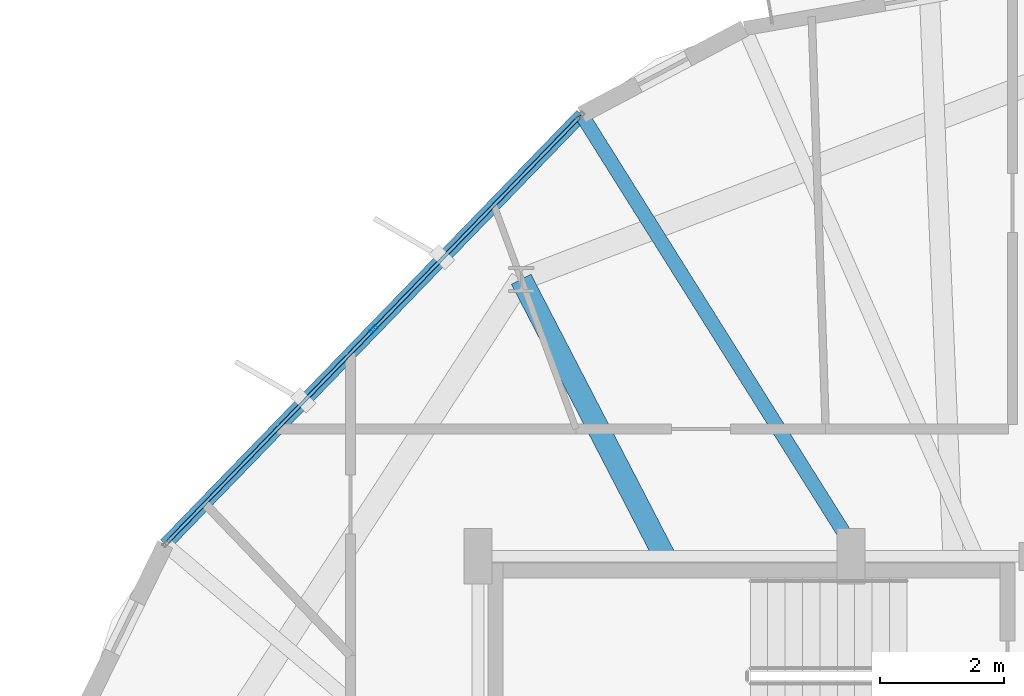
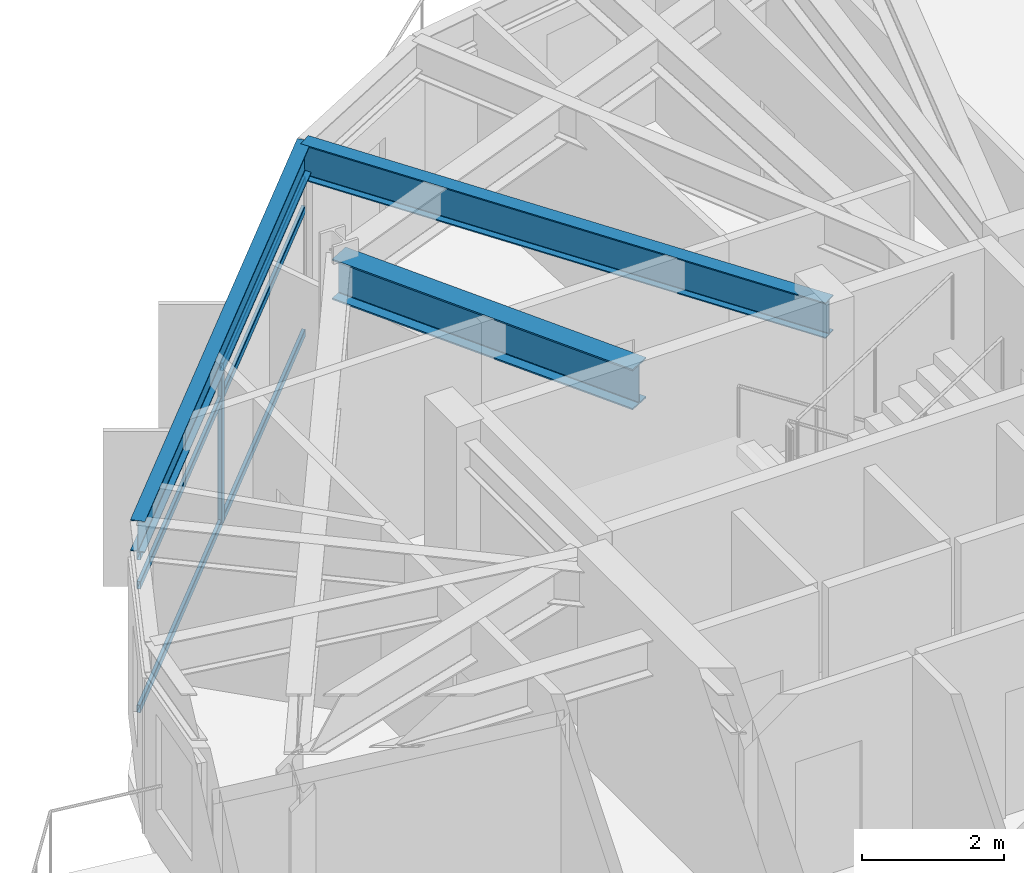
# One storey, part 16 of 28: 7 members, 3 beams, 1 element without a shape of its own.
"""IFC4 building model written with IfcOpenShell, lengths in metres."""

import ifcopenshell
import ifcopenshell.guid

model = None  # the IFC model being written
_history = None  # IfcOwnerHistory: only IFC2X3 demands one
_inside = {}  # id of a spatial element -> (the spatial element, [elements in it])
_under = {}  # id of a project, library or spatial element -> (it, [spatial elements below it])
_declared = {}  # id of a project -> (the project, [libraries it declares])
_typed = {}  # id of a type object -> (the type object, [elements of that type])
_made_of = {}  # id of a material, layer set ... -> (it, [elements and type objects made of it])


def new_model(schema):
    """Start an empty IFC model of exactly this schema.

    Asked for "IFC4X3", IfcOpenShell would pick the latest addendum, in which some entities
    have other attributes; the version numbers below select the first issue.
    IFC2X3 requires an IfcOwnerHistory on every rooted entity: one is made here for all.
    """
    global model, _history
    if schema == "IFC4X3":
        model = ifcopenshell.file(schema_version=(4, 3, 0, 0))
    else:
        model = ifcopenshell.file(schema=schema)
    _inside.clear()
    _under.clear()
    _declared.clear()
    _typed.clear()
    _made_of.clear()
    _history = None
    if model.schema == "IFC2X3":
        org = make("IfcOrganization", Name="unknown")
        user = make(
            "IfcPersonAndOrganization",
            ThePerson=make("IfcPerson", FamilyName="unknown"),
            TheOrganization=org,
        )
        app = make(
            "IfcApplication",
            ApplicationDeveloper=org,
            Version="unknown",
            ApplicationFullName="unknown",
            ApplicationIdentifier="unknown",
        )
        _history = make(
            "IfcOwnerHistory",
            OwningUser=user,
            OwningApplication=app,
            ChangeAction="ADDED",
            CreationDate=0,
        )
    return model


def make(cls, **values):
    """One entity of the class cls with the attributes given. An attribute that is None is left unset."""
    return model.create_entity(
        cls, **{name: value for name, value in values.items() if value is not None}
    )


def rooted(cls, **values):
    """An entity with a GlobalId (a new one), such as an element, a storey or a relation."""
    return make(cls, GlobalId=ifcopenshell.guid.new(), OwnerHistory=_history, **values)


def si_unit(unit_type, name, prefix=None):
    """IfcSIUnit, for example si_unit("LENGTHUNIT", "METRE", prefix="MILLI")."""
    return make("IfcSIUnit", UnitType=unit_type, Prefix=prefix, Name=name)


def assignment(units):
    """IfcUnitAssignment: the units of a project."""
    return None if units is None else make("IfcUnitAssignment", Units=units)


def point(xyz):
    """IfcCartesianPoint."""
    return None if xyz is None else make("IfcCartesianPoint", Coordinates=xyz)


def direction(xyz):
    """IfcDirection."""
    return None if xyz is None else make("IfcDirection", DirectionRatios=xyz)


def frame(location, z_axis=None, x_axis=None):
    """IfcAxis2Placement3D, a coordinate frame: its origin and axes. An axis left out is left unset."""
    return make(
        "IfcAxis2Placement3D",
        Location=point(location),
        Axis=direction(z_axis),
        RefDirection=direction(x_axis),
    )


def frame_2d(location, x_axis=None):
    """IfcAxis2Placement2D, a coordinate frame in the plane: its origin and x axis."""
    return make(
        "IfcAxis2Placement2D", Location=point(location), RefDirection=direction(x_axis)
    )


def origin():
    """The frame at (0, 0, 0) with its axes left unset."""
    return frame((0.0, 0.0, 0.0))


def origin_2d():
    """The frame at (0, 0) in the plane with its x axis left unset."""
    return frame_2d((0.0, 0.0))


def place(relative_to, where):
    """IfcLocalPlacement: puts the frame where relative to a parent placement (None: the world)."""
    return make(
        "IfcLocalPlacement", PlacementRelTo=relative_to, RelativePlacement=where
    )


def context(
    kind, dimensions, precision=None, world=None, true_north=None, identifier=None
):
    """IfcGeometricRepresentationContext, for example the 3D "Model" context."""
    return make(
        "IfcGeometricRepresentationContext",
        ContextIdentifier=identifier,
        ContextType=kind,
        CoordinateSpaceDimension=dimensions,
        Precision=precision,
        WorldCoordinateSystem=world,
        TrueNorth=true_north,
    )


def subcontext(parent, identifier, kind, view, scale=None):
    """IfcGeometricRepresentationSubContext, for example "Body" below "Model"."""
    return make(
        "IfcGeometricRepresentationSubContext",
        ContextIdentifier=identifier,
        ContextType=kind,
        ParentContext=parent,
        TargetScale=scale,
        TargetView=view,
    )


def project(units=None, contexts=None):
    """IfcProject with its units and contexts."""
    return rooted(
        "IfcProject",
        Name="project",
        RepresentationContexts=contexts,
        UnitsInContext=assignment(units),
    )


def spatial(cls, under=None, at=None, **own):
    """A site, building, storey or space (cls), placed at a placement, below another one or the project."""
    s = rooted(cls, ObjectPlacement=at, **own)
    if under is not None:
        _under.setdefault(under.id(), (under, []))[1].append(s)
    return s


def profile(cls, at=None, kind="AREA", **sizes):
    """A parametric profile (cls). Its sizes go by their IFC names, for example OverallWidth=200.0."""
    return make(cls, ProfileType=kind, Position=at, **sizes)


def hollow_rectangle(**sizes):
    """IfcRectangleHollowProfileDef."""
    return profile("IfcRectangleHollowProfileDef", **sizes)


def i_section(**sizes):
    """IfcIShapeProfileDef."""
    return profile("IfcIShapeProfileDef", **sizes)


def extrude(swept, where, along, depth):
    """IfcExtrudedAreaSolid: the profile swept, set in the frame where, extruded along a direction by depth."""
    return make(
        "IfcExtrudedAreaSolid",
        SweptArea=swept,
        Position=where,
        ExtrudedDirection=direction(along),
        Depth=depth,
    )


def shape(context_of_items, identifier, shape_type, items):
    """IfcShapeRepresentation: the items that make up one representation, for example the "Body"."""
    return make(
        "IfcShapeRepresentation",
        ContextOfItems=context_of_items,
        RepresentationIdentifier=identifier,
        RepresentationType=shape_type,
        Items=items,
    )


def material(Name=None, Category=None):
    """IfcMaterial."""
    return make("IfcMaterial", Name=Name, Category=Category)


def layer(
    of_material, thickness, ventilated=None, Name=None, Category=None, Priority=None
):
    """IfcMaterialLayer: one layer of a wall or slab, of a material (None: an air gap)."""
    return make(
        "IfcMaterialLayer",
        Material=of_material,
        LayerThickness=thickness,
        IsVentilated=ventilated,
        Name=Name,
        Category=Category,
        Priority=Priority,
    )


def layer_set(layers, Name=None):
    """IfcMaterialLayerSet."""
    return make("IfcMaterialLayerSet", MaterialLayers=layers, LayerSetName=Name)


def material_profile(
    of_material, cross_section, Name=None, Category=None, Priority=None
):
    """IfcMaterialProfile: a cross section and its material."""
    return make(
        "IfcMaterialProfile",
        Name=Name,
        Material=of_material,
        Profile=cross_section,
        Priority=Priority,
        Category=Category,
    )


def profile_set(profiles, Name=None, composite=None):
    """IfcMaterialProfileSet."""
    return make(
        "IfcMaterialProfileSet",
        Name=Name,
        MaterialProfiles=profiles,
        CompositeProfile=composite,
    )


def made_of(thing, what):
    """Note that an element or type object is made of a material, layer set ...; save() writes the relation."""
    if what is not None:
        _made_of.setdefault(what.id(), (what, []))[1].append(thing)
    return thing


def type_object(cls, material=None, **own):
    """A type object (cls), such as IfcWallType, which elements share."""
    return made_of(rooted(cls, **own), material)


def element(
    cls,
    number,
    at=None,
    inside=None,
    cuts=None,
    type_object=None,
    material=None,
    context=None,
    identifier="Body",
    shape_type=None,
    held_by="IfcProductDefinitionShape",
    body=None,
    shapes=None,
    **own,
):
    """One element of the class cls, such as IfcWall. Its Tag is "e" and its number.

    at: its placement. inside: the storey or other place that contains it. cuts: it is an
    opening in that element (IfcRelVoidsElement). A single representation is given by context,
    identifier, shape_type and body (its items); several are given by shapes. held_by: the class
    of the entity that holds the representations. save() writes the other relations.
    """
    e = rooted(cls, Tag="e%d" % number, ObjectPlacement=at, **own)
    if body is not None:
        shapes = [shape(context, identifier, shape_type, body)]
    if shapes is not None:
        e.Representation = make(held_by, Representations=shapes)
    if inside is not None:
        _inside.setdefault(inside.id(), (inside, []))[1].append(e)
    if cuts is not None:
        rooted(
            "IfcRelVoidsElement", RelatingBuildingElement=cuts, RelatedOpeningElement=e
        )
    if type_object is not None:
        _typed.setdefault(type_object.id(), (type_object, []))[1].append(e)
    return made_of(e, material)


def aggregate(whole, parts):
    """IfcRelAggregates: a whole, such as a stair, and the parts it consists of."""
    return rooted("IfcRelAggregates", RelatingObject=whole, RelatedObjects=parts)


def save(model, path):
    """Write the relations noted so far, then the file.

    IfcRelAggregates (storeys below a building ...), IfcRelContainedInSpatialStructure (elements
    in a storey), IfcRelDefinesByType, IfcRelAssociatesMaterial and IfcRelDeclares: one each for
    every whole, place, type object, material and project.
    """
    for whole, parts in _under.values():
        aggregate(whole, parts)
    for where, things in _inside.values():
        rooted(
            "IfcRelContainedInSpatialStructure",
            RelatedElements=things,
            RelatingStructure=where,
        )
    for kind, things in _typed.values():
        rooted("IfcRelDefinesByType", RelatedObjects=things, RelatingType=kind)
    for what, things in _made_of.values():
        rooted("IfcRelAssociatesMaterial", RelatedObjects=things, RelatingMaterial=what)
    for by, libraries in _declared.values():
        rooted("IfcRelDeclares", RelatingContext=by, RelatedDefinitions=libraries)
    model.write(path)


model = new_model("IFC4")

# Units and contexts
model_context = context("Model", 3, precision=1e-05, world=origin(), true_north=direction((0.0, 1.0)))
body_context = subcontext(model_context, "Body", "Model", "MODEL_VIEW")
ifc_project = project(units=[si_unit("LENGTHUNIT", "METRE"), si_unit("AREAUNIT", "SQUARE_METRE"), si_unit("VOLUMEUNIT", "CUBIC_METRE"), si_unit("PLANEANGLEUNIT", "RADIAN"), si_unit("MASSUNIT", "GRAM", prefix="KILO")], contexts=[model_context])

# Site, building, storey
site_placement = place(None, origin())
site = spatial("IfcSite", under=ifc_project, at=site_placement, CompositionType="ELEMENT")
building_placement = place(site_placement, origin())
building = spatial("IfcBuilding", under=site, at=building_placement, Name="Soratama Intermodal Tower", CompositionType="ELEMENT")
storey_placement = place(building_placement, frame((0.0, 0.0, 201.39990234375)))
storey = spatial("IfcBuildingStorey", under=building, at=storey_placement, Name="L50", CompositionType="ELEMENT", Elevation=201.39990234375)

# Beams
ifc_material_1 = material(Name="Structural steel ASTM A992 Grade 50", Category="steel")
ifc_material_profile_1 = material_profile(ifc_material_1, i_section(OverallWidth=0.35498046875, OverallDepth=0.695068359375, WebThickness=0.015380859375, FlangeThickness=0.02490234375, FilletRadius=0.01611328125, at=origin_2d()), Name="W27X146")
ifc_profile_set_1 = profile_set([ifc_material_profile_1], Name="Structural steel ASTM A992 Grade 50")
beam_type_1 = type_object("IfcBeamType", Name="BM-RING-W27X146", PredefinedType="BEAM", material=ifc_profile_set_1)
beam_1_placement = place(storey_placement, frame((35.60009765625, 35.0, 2.95263671875), z_axis=(-0.459552673174, 0.888150516849, 0.0), x_axis=(-0.888150516849, -0.459552673174, 0.0)))
element("IfcBeam", 1, at=beam_1_placement, inside=storey, type_object=beam_type_1, Name="BM-L50-RAD-04", PredefinedType="BEAM", context=body_context, shape_type="SweptSolid", body=[
    extrude(i_section(OverallWidth=0.35498046875, OverallDepth=0.695068359375, WebThickness=0.015380859375, FlangeThickness=0.02490234375, FilletRadius=0.01611328125, at=origin_2d()), origin(), (0.0, 0.0, 1.0), 5.01611328125),
])
ifc_material_2 = material(Name="Structural steel ASTM A992 Grade 50", Category="steel")
ifc_material_profile_2 = material_profile(ifc_material_2, i_section(OverallWidth=0.2099609375, OverallDepth=0.537109375, WebThickness=0.010986328125, FlangeThickness=0.017333984375, FilletRadius=0.012939453125, at=origin_2d()), Name="W21X68")
ifc_profile_set_2 = profile_set([ifc_material_profile_2], Name="Structural steel ASTM A992 Grade 50")
beam_type_2 = type_object("IfcBeamType", Name="BM-SPN-W21X68", PredefinedType="SPANDREL", material=ifc_profile_set_2)
beam_2_placement = place(storey_placement, frame((34.26611328125, 42.10205078125, 3.031494140625), z_axis=(-0.695894997812, -0.718143545553, 0.0), x_axis=(0.718143545553, -0.695894997812, 0.0)))
element("IfcBeam", 2, at=beam_2_placement, inside=storey, type_object=beam_type_2, Name="BS-L50-F03", PredefinedType="SPANDREL", context=body_context, shape_type="SweptSolid", body=[
    extrude(i_section(OverallWidth=0.2099609375, OverallDepth=0.537109375, WebThickness=0.010986328125, FlangeThickness=0.017333984375, FilletRadius=0.012939453125, at=origin_2d()), origin(), (0.0, 0.0, 1.0), 9.62353515625),
])
ifc_material_3 = material(Name="Structural steel ASTM A992 Grade 50", Category="steel")
ifc_material_profile_3 = material_profile(ifc_material_3, i_section(OverallWidth=0.22900390625, OverallDepth=0.612060546875, WebThickness=0.011962890625, FlangeThickness=0.01953125, FilletRadius=0.012939453125, at=origin_2d()), Name="W24X84")
ifc_profile_set_3 = profile_set([ifc_material_profile_3], Name="Structural steel ASTM A992 Grade 50")
beam_type_3 = type_object("IfcBeamType", Name="BM-TIE-W24X84", PredefinedType="BEAM", material=ifc_profile_set_3)
beam_3_placement = place(storey_placement, frame((38.702880859375, 35.033935546875, 2.994140625), z_axis=(-0.531651992484, 0.8469629029, 0.0), x_axis=(-0.8469629029, -0.531651992484, 0.0)))
element("IfcBeam", 3, at=beam_3_placement, inside=storey, type_object=beam_type_3, Name="BM-L50-TIE0-03", PredefinedType="BEAM", context=body_context, shape_type="SweptSolid", body=[
    extrude(i_section(OverallWidth=0.22900390625, OverallDepth=0.612060546875, WebThickness=0.011962890625, FlangeThickness=0.01953125, FilletRadius=0.012939453125, at=origin_2d()), origin(), (0.0, 0.0, 1.0), 8.34521484375),
])

# Curtain wall, members
ifc_material_4 = material(Name="Double-glazed aluminium curtain wall", Category="aluminium")
ifc_layer = layer(ifc_material_4, 0.159912109375)
ifc_layer_set = layer_set([ifc_layer], Name="Double-glazed aluminium curtain wall")
curtain_wall_type = type_object("IfcCurtainWallType", Name="CW-SYS-5", PredefinedType="NOTDEFINED", material=ifc_layer_set)
curtain_wall_placement = place(storey_placement, origin())
curtain_wall = element("IfcCurtainWall", 4, at=curtain_wall_placement, inside=storey, type_object=curtain_wall_type, Name="L50 Faceted Curtain Wall F03", PredefinedType="NOTDEFINED")
ifc_material_5 = material(Name="Anodised aluminium AA 6063-T6", Category="aluminium")
ifc_material_profile_4 = material_profile(ifc_material_5, hollow_rectangle(XDim=0.06494140625, YDim=0.139892578125, WallThickness=0.0048828125, InnerFilletRadius=0.0048828125, OuterFilletRadius=0.010009765625, at=origin_2d()), Name="CWM140X65X5")
ifc_profile_set_4 = profile_set([ifc_material_profile_4], Name="Anodised aluminium AA 6063-T6")
member_type_1 = type_object("IfcMemberType", Name="MT-CWM-5", PredefinedType="MULLION", material=ifc_profile_set_4)
member_1_placement = place(storey_placement, frame((30.91748046875, 38.646728515625, 0.0), z_axis=(0.0, 0.0, 1.0), x_axis=(0.718126949297, -0.695912124261, 0.0)))
member_1 = element("IfcMember", 5, at=member_1_placement, type_object=member_type_1, Name="CW-5 mullion 2", PredefinedType="MULLION", context=body_context, shape_type="SweptSolid", body=[
    extrude(hollow_rectangle(XDim=0.06494140625, YDim=0.139892578125, WallThickness=0.0048828125, InnerFilletRadius=0.0048828125, OuterFilletRadius=0.010009765625, at=origin_2d()), origin(), (0.0, 0.0, 1.0), 2.67919921875),
])
ifc_material_6 = material(Name="Anodised aluminium AA 6063-T6", Category="aluminium")
ifc_material_profile_5 = material_profile(ifc_material_6, hollow_rectangle(XDim=0.06005859375, YDim=0.1298828125, WallThickness=0.0048828125, InnerFilletRadius=0.0048828125, OuterFilletRadius=0.010009765625, at=origin_2d()), Name="CWT130X60X5")
ifc_profile_set_5 = profile_set([ifc_material_profile_5], Name="Anodised aluminium AA 6063-T6")
member_type_2 = type_object("IfcMemberType", Name="TT-CWT-2", PredefinedType="USERDEFINED", material=ifc_profile_set_5)
member_2_placement = place(storey_placement, frame((34.224609375, 42.059326171875, 0.030029296875), z_axis=(-0.695929398414, -0.718110209107, 0.0), x_axis=(0.718110209107, -0.695929398414, 0.0)))
member_2 = element("IfcMember", 6, at=member_2_placement, type_object=member_type_2, Name="CW-5 transom 1.1", ObjectType="TRANSOM", PredefinedType="USERDEFINED", context=body_context, shape_type="SweptSolid", body=[
    extrude(hollow_rectangle(XDim=0.06005859375, YDim=0.1298828125, WallThickness=0.0048828125, InnerFilletRadius=0.0048828125, OuterFilletRadius=0.010009765625, at=origin_2d()), origin(), (0.0, 0.0, 1.0), 4.721923828125),
])
member_3_placement = place(storey_placement, frame((34.224609375, 42.059326171875, 2.150146484375), z_axis=(-0.695929398414, -0.718110209107, 0.0), x_axis=(0.718110209107, -0.695929398414, 0.0)))
member_3 = element("IfcMember", 7, at=member_3_placement, type_object=member_type_2, Name="CW-5 transom 1.2", ObjectType="TRANSOM", PredefinedType="USERDEFINED", context=body_context, shape_type="SweptSolid", body=[
    extrude(hollow_rectangle(XDim=0.06005859375, YDim=0.1298828125, WallThickness=0.0048828125, InnerFilletRadius=0.0048828125, OuterFilletRadius=0.010009765625, at=origin_2d()), origin(), (0.0, 0.0, 1.0), 4.721923828125),
])
member_4_placement = place(storey_placement, frame((34.224609375, 42.059326171875, 2.649169921875), z_axis=(-0.695929398414, -0.718110209107, 0.0), x_axis=(0.718110209107, -0.695929398414, 0.0)))
member_4 = element("IfcMember", 8, at=member_4_placement, type_object=member_type_2, Name="CW-5 transom 1.3", ObjectType="TRANSOM", PredefinedType="USERDEFINED", context=body_context, shape_type="SweptSolid", body=[
    extrude(hollow_rectangle(XDim=0.06005859375, YDim=0.1298828125, WallThickness=0.0048828125, InnerFilletRadius=0.0048828125, OuterFilletRadius=0.010009765625, at=origin_2d()), origin(), (0.0, 0.0, 1.0), 4.721923828125),
])
member_5_placement = place(storey_placement, frame((30.896728515625, 38.625244140625, 0.030029296875), z_axis=(-0.695903559881, -0.718135248644, 0.0), x_axis=(0.718135248644, -0.695903559881, 0.0)))
member_5 = element("IfcMember", 9, at=member_5_placement, type_object=member_type_2, Name="CW-5 transom 2.1", ObjectType="TRANSOM", PredefinedType="USERDEFINED", context=body_context, shape_type="SweptSolid", body=[
    extrude(hollow_rectangle(XDim=0.06005859375, YDim=0.1298828125, WallThickness=0.0048828125, InnerFilletRadius=0.0048828125, OuterFilletRadius=0.010009765625, at=origin_2d()), origin(), (0.0, 0.0, 1.0), 4.72216796875),
])
member_6_placement = place(storey_placement, frame((30.896728515625, 38.625244140625, 2.150146484375), z_axis=(-0.695903559881, -0.718135248644, 0.0), x_axis=(0.718135248644, -0.695903559881, 0.0)))
member_6 = element("IfcMember", 10, at=member_6_placement, type_object=member_type_2, Name="CW-5 transom 2.2", ObjectType="TRANSOM", PredefinedType="USERDEFINED", context=body_context, shape_type="SweptSolid", body=[
    extrude(hollow_rectangle(XDim=0.06005859375, YDim=0.1298828125, WallThickness=0.0048828125, InnerFilletRadius=0.0048828125, OuterFilletRadius=0.010009765625, at=origin_2d()), origin(), (0.0, 0.0, 1.0), 4.72216796875),
])
member_7_placement = place(storey_placement, frame((30.896728515625, 38.625244140625, 2.649169921875), z_axis=(-0.695903559881, -0.718135248644, 0.0), x_axis=(0.718135248644, -0.695903559881, 0.0)))
member_7 = element("IfcMember", 11, at=member_7_placement, type_object=member_type_2, Name="CW-5 transom 2.3", ObjectType="TRANSOM", PredefinedType="USERDEFINED", context=body_context, shape_type="SweptSolid", body=[
    extrude(hollow_rectangle(XDim=0.06005859375, YDim=0.1298828125, WallThickness=0.0048828125, InnerFilletRadius=0.0048828125, OuterFilletRadius=0.010009765625, at=origin_2d()), origin(), (0.0, 0.0, 1.0), 4.72216796875),
])
aggregate(curtain_wall, [member_1, member_2, member_3, member_4, member_5, member_6, member_7])

save(model, "model.ifc")
